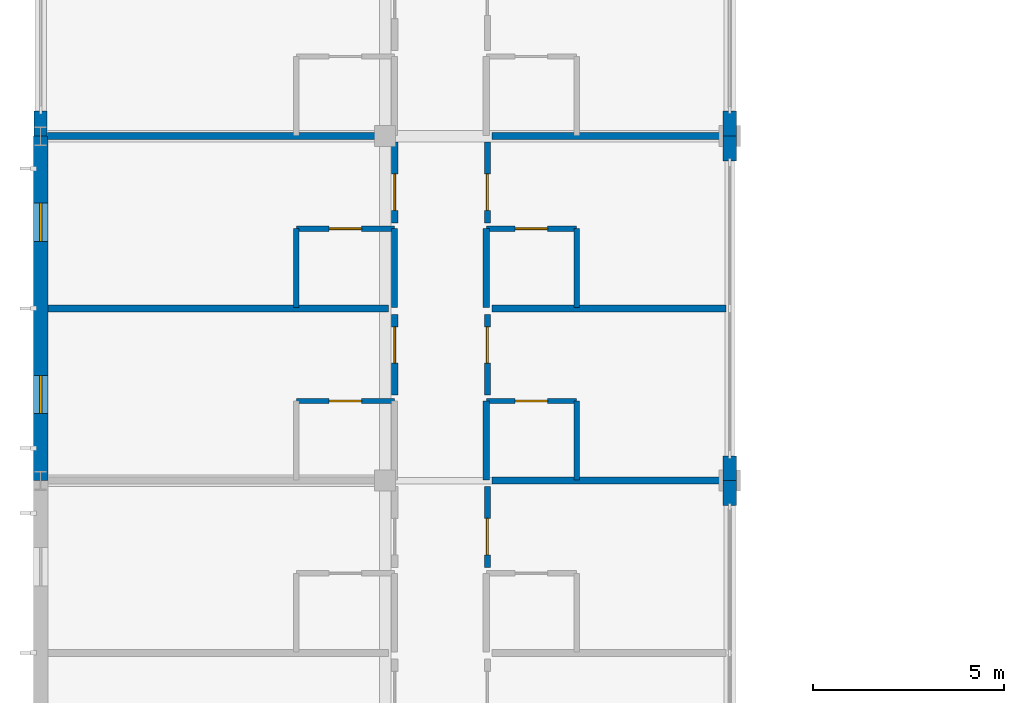
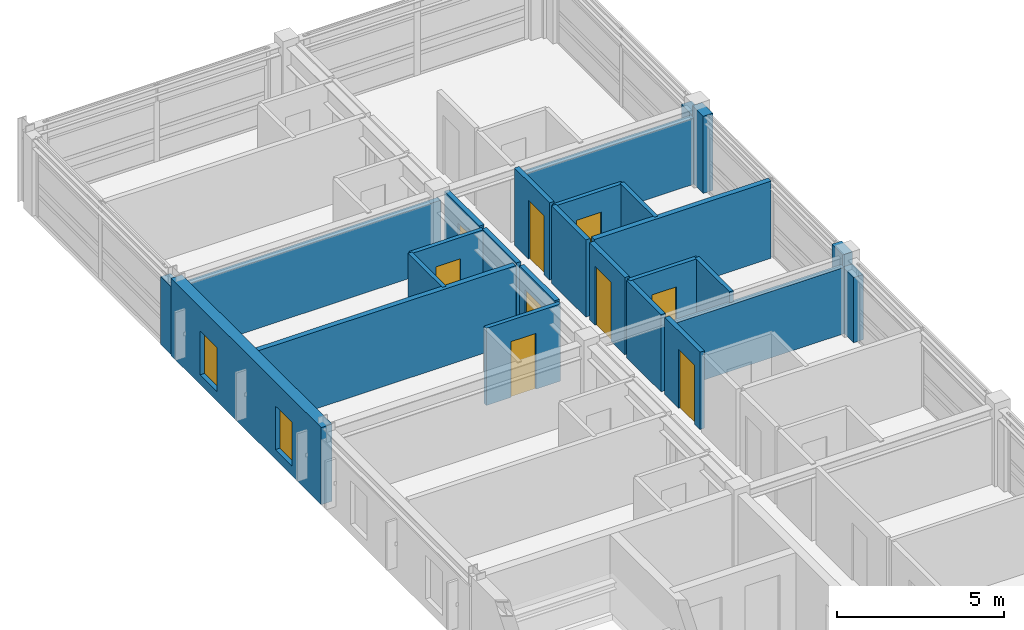
# One storey, part 23 of 37: 26 walls, 9 doors, 2 windows, 11 openings.
"""IFC4 building model written with IfcOpenShell, lengths in metres."""

from ifc_helpers import new_model, si_unit, direction, frame, frame_2d, origin, place, context, subcontext, project, spatial, rectangle, extrude, material, layer, layer_set, type_object, element, fill, save


model = new_model("IFC4")

# Units and contexts
model_context = context("Model", 3, precision=1e-05, world=origin(), true_north=direction((0.0, 1.0)))
body_context = subcontext(model_context, "Body", "Model", "MODEL_VIEW")
ifc_project = project(units=[si_unit("LENGTHUNIT", "METRE"), si_unit("AREAUNIT", "SQUARE_METRE"), si_unit("VOLUMEUNIT", "CUBIC_METRE"), si_unit("PLANEANGLEUNIT", "RADIAN"), si_unit("MASSUNIT", "GRAM", prefix="KILO")], contexts=[model_context])

# Site, building, storey
site_placement = place(None, origin())
site = spatial("IfcSite", under=ifc_project, at=site_placement, CompositionType="ELEMENT")
building_placement = place(site_placement, origin())
building = spatial("IfcBuilding", under=site, at=building_placement, Name="Palais des Congres Ocreval", CompositionType="ELEMENT")
storey_placement = place(building_placement, frame((0.0, 0.0, 11.52001953125)))
storey = spatial("IfcBuildingStorey", under=building, at=storey_placement, Name="L03", CompositionType="ELEMENT", Elevation=11.52001953125)

# Wall, opening, door
ifc_material_1 = material(Name="Moisture-resistant gypsum board")
ifc_layer_1 = layer(ifc_material_1, 0.139892578125)
ifc_layer_set_1 = layer_set([ifc_layer_1], Name="Bathroom Plumbing Chase Wall 140 Gypsum (Moisture-resistant gypsum board)")
wall_type_1 = type_object("IfcWallType", Name="Bathroom Plumbing Chase Wall 140 Gypsum", PredefinedType="PLUMBINGWALL", material=ifc_layer_set_1)
wall_1_placement = place(storey_placement, frame((6.679931640625, 56.080078125, 0.0), z_axis=(0.0, 0.0, 1.0), x_axis=(1.0, 0.0, 0.0)))
wall_1 = element("IfcWall", 1, at=wall_1_placement, inside=storey, type_object=wall_type_1, Name="Bathroom Plumbing Wall PW03 L03", PredefinedType="PLUMBINGWALL", context=body_context, shape_type="SweptSolid", body=[
    extrude(rectangle(XDim=2.56005859375, YDim=0.139892578125, at=frame_2d((1.280029296875, 0.0))), origin(), (0.0, 0.0, 1.0), 2.820068359375),
])
opening_1_placement = place(wall_1_placement, frame((0.85498046875, 0.0, 0.0)))
opening_1 = element("IfcOpeningElement", 2, at=opening_1_placement, cuts=wall_1, Name="Opening D08", PredefinedType="OPENING", context=body_context, shape_type="SweptSolid", body=[
    extrude(rectangle(XDim=0.85009765625, YDim=2.0400390625, at=frame_2d((0.425048828125, 1.02001953125))), frame((0.0, 0.079833984375, 0.0), z_axis=(0.0, -1.0, 0.0), x_axis=(1.0, 0.0, 0.0)), (0.0, 0.0, 1.0), 0.159912109375),
])
ifc_material_2 = material(Name="Solid French oak", Category="wood")
door_type_1 = type_object("IfcDoorType", Name="En-Suite Bathroom Door 850x2040", OperationType="NOTDEFINED", PredefinedType="DOOR", material=ifc_material_2)
door_1_placement = place(opening_1_placement, origin())
door_1 = element("IfcDoor", 3, at=door_1_placement, inside=storey, type_object=door_type_1, Name="En-Suite Bathroom Door D08 L03", OperationType="SINGLE_SWING_LEFT", OverallHeight=2.0400390625, OverallWidth=0.85009765625, PredefinedType="DOOR", context=body_context, shape_type="SweptSolid", body=[
    extrude(rectangle(XDim=0.85009765625, YDim=2.0400390625, at=frame_2d((0.425048828125, 1.02001953125))), frame((0.0, 0.02490234375, 0.0), z_axis=(0.0, -1.0, 0.0), x_axis=(1.0, 0.0, 0.0)), (0.0, 0.0, 1.0), 0.050048828125),
])
fill(opening_1, door_1)

wall_2_placement = place(storey_placement, frame((6.679931640625, 60.580078125, 0.0), z_axis=(0.0, 0.0, 1.0), x_axis=(1.0, 0.0, 0.0)))
wall_2 = element("IfcWall", 4, at=wall_2_placement, inside=storey, type_object=wall_type_1, Name="Bathroom Plumbing Wall PW03 L03", PredefinedType="PLUMBINGWALL", context=body_context, shape_type="SweptSolid", body=[
    extrude(rectangle(XDim=2.56005859375, YDim=0.139892578125, at=frame_2d((1.280029296875, 0.0))), origin(), (0.0, 0.0, 1.0), 2.820068359375),
])
opening_2_placement = place(wall_2_placement, frame((0.85498046875, 0.0, 0.0)))
opening_2 = element("IfcOpeningElement", 5, at=opening_2_placement, cuts=wall_2, Name="Opening D08", PredefinedType="OPENING", context=body_context, shape_type="SweptSolid", body=[
    extrude(rectangle(XDim=0.85009765625, YDim=2.0400390625, at=frame_2d((0.425048828125, 1.02001953125))), frame((0.0, 0.079833984375, 0.0), z_axis=(0.0, -1.0, 0.0), x_axis=(1.0, 0.0, 0.0)), (0.0, 0.0, 1.0), 0.159912109375),
])
door_2_placement = place(opening_2_placement, origin())
door_2 = element("IfcDoor", 6, at=door_2_placement, inside=storey, type_object=door_type_1, Name="En-Suite Bathroom Door D08 L03", OperationType="SINGLE_SWING_RIGHT", OverallHeight=2.0400390625, OverallWidth=0.85009765625, PredefinedType="DOOR", context=body_context, shape_type="SweptSolid", body=[
    extrude(rectangle(XDim=0.85009765625, YDim=2.0400390625, at=frame_2d((0.425048828125, 1.02001953125))), frame((0.0, 0.02490234375, 0.0), z_axis=(0.0, -1.0, 0.0), x_axis=(1.0, 0.0, 0.0)), (0.0, 0.0, 1.0), 0.050048828125),
])
fill(opening_2, door_2)

# Wall
wall_3_placement = place(storey_placement, frame((6.679931640625, 58.52001953125, 0.0), z_axis=(0.0, 0.0, 1.0), x_axis=(0.0, 1.0, 0.0)))
element("IfcWall", 7, at=wall_3_placement, inside=storey, type_object=wall_type_1, Name="Bathroom Plumbing Wall PW03 L03", PredefinedType="PLUMBINGWALL", context=body_context, shape_type="SweptSolid", body=[
    extrude(rectangle(XDim=2.06005859375, YDim=0.139892578125, at=frame_2d((1.030029296875, 0.0))), origin(), (0.0, 0.0, 1.0), 2.820068359375),
])

# Wall, opening, door
wall_4_placement = place(storey_placement, frame((11.639892578125, 56.080078125, 0.0), z_axis=(0.0, 0.0, 1.0), x_axis=(1.0, 0.0, 0.0)))
wall_4 = element("IfcWall", 8, at=wall_4_placement, inside=storey, type_object=wall_type_1, Name="Bathroom Plumbing Wall PW03 L03", PredefinedType="PLUMBINGWALL", context=body_context, shape_type="SweptSolid", body=[
    extrude(rectangle(XDim=2.360107421875, YDim=0.139892578125, at=frame_2d((1.18017578125, 0.0))), origin(), (0.0, 0.0, 1.0), 2.820068359375),
])
opening_3_placement = place(wall_4_placement, frame((0.7548828125, 0.0, 0.0)))
opening_3 = element("IfcOpeningElement", 9, at=opening_3_placement, cuts=wall_4, Name="Opening D08", PredefinedType="OPENING", context=body_context, shape_type="SweptSolid", body=[
    extrude(rectangle(XDim=0.85009765625, YDim=2.0400390625, at=frame_2d((0.425048828125, 1.02001953125))), frame((0.0, 0.079833984375, 0.0), z_axis=(0.0, -1.0, 0.0), x_axis=(1.0, 0.0, 0.0)), (0.0, 0.0, 1.0), 0.159912109375),
])
door_3_placement = place(opening_3_placement, origin())
door_3 = element("IfcDoor", 10, at=door_3_placement, inside=storey, type_object=door_type_1, Name="En-Suite Bathroom Door D08 L03", OperationType="SINGLE_SWING_LEFT", OverallHeight=2.0400390625, OverallWidth=0.85009765625, PredefinedType="DOOR", context=body_context, shape_type="SweptSolid", body=[
    extrude(rectangle(XDim=0.85009765625, YDim=2.0400390625, at=frame_2d((0.425048828125, 1.02001953125))), frame((0.0, 0.02490234375, 0.0), z_axis=(0.0, -1.0, 0.0), x_axis=(1.0, 0.0, 0.0)), (0.0, 0.0, 1.0), 0.050048828125),
])
fill(opening_3, door_3)

# Wall
wall_5_placement = place(storey_placement, frame((14.0, 54.02001953125, 0.0), z_axis=(0.0, 0.0, 1.0), x_axis=(0.0, 1.0, 0.0)))
element("IfcWall", 11, at=wall_5_placement, inside=storey, type_object=wall_type_1, Name="Bathroom Plumbing Wall PW03 L03", PredefinedType="PLUMBINGWALL", context=body_context, shape_type="SweptSolid", body=[
    extrude(rectangle(XDim=2.06005859375, YDim=0.139892578125, at=frame_2d((1.030029296875, 0.0))), origin(), (0.0, 0.0, 1.0), 2.820068359375),
])

# Wall, opening, door
wall_6_placement = place(storey_placement, frame((11.639892578125, 60.580078125, 0.0), z_axis=(0.0, 0.0, 1.0), x_axis=(1.0, 0.0, 0.0)))
wall_6 = element("IfcWall", 12, at=wall_6_placement, inside=storey, type_object=wall_type_1, Name="Bathroom Plumbing Wall PW03 L03", PredefinedType="PLUMBINGWALL", context=body_context, shape_type="SweptSolid", body=[
    extrude(rectangle(XDim=2.360107421875, YDim=0.139892578125, at=frame_2d((1.18017578125, 0.0))), origin(), (0.0, 0.0, 1.0), 2.820068359375),
])
opening_4_placement = place(wall_6_placement, frame((0.7548828125, 0.0, 0.0)))
opening_4 = element("IfcOpeningElement", 13, at=opening_4_placement, cuts=wall_6, Name="Opening D08", PredefinedType="OPENING", context=body_context, shape_type="SweptSolid", body=[
    extrude(rectangle(XDim=0.85009765625, YDim=2.0400390625, at=frame_2d((0.425048828125, 1.02001953125))), frame((0.0, 0.079833984375, 0.0), z_axis=(0.0, -1.0, 0.0), x_axis=(1.0, 0.0, 0.0)), (0.0, 0.0, 1.0), 0.159912109375),
])
door_4_placement = place(opening_4_placement, origin())
door_4 = element("IfcDoor", 14, at=door_4_placement, inside=storey, type_object=door_type_1, Name="En-Suite Bathroom Door D08 L03", OperationType="SINGLE_SWING_RIGHT", OverallHeight=2.0400390625, OverallWidth=0.85009765625, PredefinedType="DOOR", context=body_context, shape_type="SweptSolid", body=[
    extrude(rectangle(XDim=0.85009765625, YDim=2.0400390625, at=frame_2d((0.425048828125, 1.02001953125))), frame((0.0, 0.02490234375, 0.0), z_axis=(0.0, -1.0, 0.0), x_axis=(1.0, 0.0, 0.0)), (0.0, 0.0, 1.0), 0.050048828125),
])
fill(opening_4, door_4)

# Walls
wall_7_placement = place(storey_placement, frame((14.0, 58.52001953125, 0.0), z_axis=(0.0, 0.0, 1.0), x_axis=(0.0, 1.0, 0.0)))
element("IfcWall", 15, at=wall_7_placement, inside=storey, type_object=wall_type_1, Name="Bathroom Plumbing Wall PW03 L03", PredefinedType="PLUMBINGWALL", context=body_context, shape_type="SweptSolid", body=[
    extrude(rectangle(XDim=2.06005859375, YDim=0.139892578125, at=frame_2d((1.030029296875, 0.0))), origin(), (0.0, 0.0, 1.0), 2.820068359375),
])
ifc_material_3 = material(Name="Gypsum acoustic partition")
ifc_layer_2 = layer(ifc_material_3, 0.159912109375)
ifc_layer_set_2 = layer_set([ifc_layer_2], Name="Corridor Fire Partition 160 Gypsum (Gypsum acoustic partition)")
wall_type_2 = type_object("IfcWallType", Name="Corridor Fire Partition 160 Gypsum", PredefinedType="PARTITIONING", material=ifc_layer_set_2)
for number, where, z_axis, x_axis, name in (
    (16, (9.239990234375, 58.52001953125, 0.0), (0.0, 0.0, 1.0), (0.0, 1.0, 0.0), "Corridor Partition IW03 L03"),
    (17, (11.639892578125, 54.02001953125, 0.0), (0.0, 0.0, 1.0), (0.0, 1.0, 0.0), "Corridor Partition IW03 L03"),
    (18, (11.639892578125, 58.52001953125, 0.0), (0.0, 0.0, 1.0), (0.0, 1.0, 0.0), "Corridor Partition IW03 L03"),
):
    element("IfcWall", number, at=place(storey_placement, frame(where, z_axis=z_axis, x_axis=x_axis)), inside=storey, type_object=wall_type_2, Name=name, PredefinedType="PARTITIONING", context=body_context, shape_type="SweptSolid", body=[
        extrude(rectangle(XDim=2.06005859375, YDim=0.159912109375, at=frame_2d((1.030029296875, 0.0))), origin(), (0.0, 0.0, 1.0), 2.820068359375),
    ])

# Wall, opening, door
wall_8_placement = place(storey_placement, frame((11.669921875, 51.735107421875, 0.0), z_axis=(0.0, 0.0, 1.0), x_axis=(0.0, 1.0, 0.0)))
wall_8 = element("IfcWall", 19, at=wall_8_placement, inside=storey, type_object=wall_type_2, Name="Interior Partition IW03 L03", PredefinedType="PARTITIONING", context=body_context, shape_type="SweptSolid", body=[
    extrude(rectangle(XDim=2.10986328125, YDim=0.159912109375, at=frame_2d((1.054931640625, 0.0))), origin(), (0.0, 0.0, 1.0), 2.820068359375),
])
opening_5_placement = place(wall_8_placement, frame((0.326904296875, 0.0, 0.0)))
opening_5 = element("IfcOpeningElement", 20, at=opening_5_placement, cuts=wall_8, Name="Opening D05", PredefinedType="OPENING", context=body_context, shape_type="SweptSolid", body=[
    extrude(rectangle(XDim=0.949951171875, YDim=2.14990234375, at=frame_2d((0.47509765625, 1.074951171875))), frame((0.0, 0.08984375, 0.0), z_axis=(0.0, -1.0, 0.0), x_axis=(1.0, 0.0, 0.0)), (0.0, 0.0, 1.0), 0.179931640625),
])
door_type_2 = type_object("IfcDoorType", Name="Hotel Guestroom Entrance Door 950x2150", OperationType="NOTDEFINED", PredefinedType="DOOR", material=ifc_material_2)
door_5_placement = place(opening_5_placement, origin())
door_5 = element("IfcDoor", 21, at=door_5_placement, inside=storey, type_object=door_type_2, Name="Interior Door D05 L03", OperationType="SINGLE_SWING_RIGHT", OverallHeight=2.14990234375, OverallWidth=0.949951171875, PredefinedType="DOOR", context=body_context, shape_type="SweptSolid", body=[
    extrude(rectangle(XDim=0.949951171875, YDim=2.14990234375, at=frame_2d((0.47509765625, 1.074951171875))), frame((0.0, 0.02490234375, 0.0), z_axis=(0.0, -1.0, 0.0), x_axis=(1.0, 0.0, 0.0)), (0.0, 0.0, 1.0), 0.050048828125),
])
fill(opening_5, door_5)

wall_9_placement = place(storey_placement, frame((9.25, 56.235107421875, 0.0), z_axis=(0.0, 0.0, 1.0), x_axis=(0.0, 1.0, 0.0)))
wall_9 = element("IfcWall", 22, at=wall_9_placement, inside=storey, type_object=wall_type_2, Name="Interior Partition IW03 L03", PredefinedType="PARTITIONING", context=body_context, shape_type="SweptSolid", body=[
    extrude(rectangle(XDim=2.10986328125, YDim=0.159912109375, at=frame_2d((1.054931640625, 0.0))), origin(), (0.0, 0.0, 1.0), 2.820068359375),
])
opening_6_placement = place(wall_9_placement, frame((0.833251953125, 0.0, 0.0)))
opening_6 = element("IfcOpeningElement", 23, at=opening_6_placement, cuts=wall_9, Name="Opening D05", PredefinedType="OPENING", context=body_context, shape_type="SweptSolid", body=[
    extrude(rectangle(XDim=0.949951171875, YDim=2.14990234375, at=frame_2d((0.47509765625, 1.074951171875))), frame((0.0, 0.08984375, 0.0), z_axis=(0.0, -1.0, 0.0), x_axis=(1.0, 0.0, 0.0)), (0.0, 0.0, 1.0), 0.179931640625),
])
door_6_placement = place(opening_6_placement, origin())
door_6 = element("IfcDoor", 24, at=door_6_placement, inside=storey, type_object=door_type_2, Name="Interior Door D05 L03", OperationType="SINGLE_SWING_LEFT", OverallHeight=2.14990234375, OverallWidth=0.949951171875, PredefinedType="DOOR", context=body_context, shape_type="SweptSolid", body=[
    extrude(rectangle(XDim=0.949951171875, YDim=2.14990234375, at=frame_2d((0.47509765625, 1.074951171875))), frame((0.0, 0.02490234375, 0.0), z_axis=(0.0, -1.0, 0.0), x_axis=(1.0, 0.0, 0.0)), (0.0, 0.0, 1.0), 0.050048828125),
])
fill(opening_6, door_6)

wall_10_placement = place(storey_placement, frame((9.25, 60.735107421875, 0.0), z_axis=(0.0, 0.0, 1.0), x_axis=(0.0, 1.0, 0.0)))
wall_10 = element("IfcWall", 25, at=wall_10_placement, inside=storey, type_object=wall_type_2, Name="Interior Partition IW03 L03", PredefinedType="PARTITIONING", context=body_context, shape_type="SweptSolid", body=[
    extrude(rectangle(XDim=2.10986328125, YDim=0.159912109375, at=frame_2d((1.054931640625, 0.0))), origin(), (0.0, 0.0, 1.0), 2.820068359375),
])
opening_7_placement = place(wall_10_placement, frame((0.326904296875, 0.0, 0.0)))
opening_7 = element("IfcOpeningElement", 26, at=opening_7_placement, cuts=wall_10, Name="Opening D05", PredefinedType="OPENING", context=body_context, shape_type="SweptSolid", body=[
    extrude(rectangle(XDim=0.949951171875, YDim=2.14990234375, at=frame_2d((0.47509765625, 1.074951171875))), frame((0.0, 0.08984375, 0.0), z_axis=(0.0, -1.0, 0.0), x_axis=(1.0, 0.0, 0.0)), (0.0, 0.0, 1.0), 0.179931640625),
])
door_7_placement = place(opening_7_placement, origin())
door_7 = element("IfcDoor", 27, at=door_7_placement, inside=storey, type_object=door_type_2, Name="Interior Door D05 L03", OperationType="SINGLE_SWING_RIGHT", OverallHeight=2.14990234375, OverallWidth=0.949951171875, PredefinedType="DOOR", context=body_context, shape_type="SweptSolid", body=[
    extrude(rectangle(XDim=0.949951171875, YDim=2.14990234375, at=frame_2d((0.47509765625, 1.074951171875))), frame((0.0, 0.02490234375, 0.0), z_axis=(0.0, -1.0, 0.0), x_axis=(1.0, 0.0, 0.0)), (0.0, 0.0, 1.0), 0.050048828125),
])
fill(opening_7, door_7)

wall_11_placement = place(storey_placement, frame((11.669921875, 56.235107421875, 0.0), z_axis=(0.0, 0.0, 1.0), x_axis=(0.0, 1.0, 0.0)))
wall_11 = element("IfcWall", 28, at=wall_11_placement, inside=storey, type_object=wall_type_2, Name="Interior Partition IW03 L03", PredefinedType="PARTITIONING", context=body_context, shape_type="SweptSolid", body=[
    extrude(rectangle(XDim=2.10986328125, YDim=0.159912109375, at=frame_2d((1.054931640625, 0.0))), origin(), (0.0, 0.0, 1.0), 2.820068359375),
])
opening_8_placement = place(wall_11_placement, frame((0.833251953125, 0.0, 0.0)))
opening_8 = element("IfcOpeningElement", 29, at=opening_8_placement, cuts=wall_11, Name="Opening D05", PredefinedType="OPENING", context=body_context, shape_type="SweptSolid", body=[
    extrude(rectangle(XDim=0.949951171875, YDim=2.14990234375, at=frame_2d((0.47509765625, 1.074951171875))), frame((0.0, 0.08984375, 0.0), z_axis=(0.0, -1.0, 0.0), x_axis=(1.0, 0.0, 0.0)), (0.0, 0.0, 1.0), 0.179931640625),
])
door_8_placement = place(opening_8_placement, origin())
door_8 = element("IfcDoor", 30, at=door_8_placement, inside=storey, type_object=door_type_2, Name="Interior Door D05 L03", OperationType="SINGLE_SWING_LEFT", OverallHeight=2.14990234375, OverallWidth=0.949951171875, PredefinedType="DOOR", context=body_context, shape_type="SweptSolid", body=[
    extrude(rectangle(XDim=0.949951171875, YDim=2.14990234375, at=frame_2d((0.47509765625, 1.074951171875))), frame((0.0, 0.02490234375, 0.0), z_axis=(0.0, -1.0, 0.0), x_axis=(1.0, 0.0, 0.0)), (0.0, 0.0, 1.0), 0.050048828125),
])
fill(opening_8, door_8)

wall_12_placement = place(storey_placement, frame((11.669921875, 60.735107421875, 0.0), z_axis=(0.0, 0.0, 1.0), x_axis=(0.0, 1.0, 0.0)))
wall_12 = element("IfcWall", 31, at=wall_12_placement, inside=storey, type_object=wall_type_2, Name="Interior Partition IW03 L03", PredefinedType="PARTITIONING", context=body_context, shape_type="SweptSolid", body=[
    extrude(rectangle(XDim=2.10986328125, YDim=0.159912109375, at=frame_2d((1.054931640625, 0.0))), origin(), (0.0, 0.0, 1.0), 2.820068359375),
])
opening_9_placement = place(wall_12_placement, frame((0.326904296875, 0.0, 0.0)))
opening_9 = element("IfcOpeningElement", 32, at=opening_9_placement, cuts=wall_12, Name="Opening D05", PredefinedType="OPENING", context=body_context, shape_type="SweptSolid", body=[
    extrude(rectangle(XDim=0.949951171875, YDim=2.14990234375, at=frame_2d((0.47509765625, 1.074951171875))), frame((0.0, 0.08984375, 0.0), z_axis=(0.0, -1.0, 0.0), x_axis=(1.0, 0.0, 0.0)), (0.0, 0.0, 1.0), 0.179931640625),
])
door_9_placement = place(opening_9_placement, origin())
door_9 = element("IfcDoor", 33, at=door_9_placement, inside=storey, type_object=door_type_2, Name="Interior Door D05 L03", OperationType="SINGLE_SWING_RIGHT", OverallHeight=2.14990234375, OverallWidth=0.949951171875, PredefinedType="DOOR", context=body_context, shape_type="SweptSolid", body=[
    extrude(rectangle(XDim=0.949951171875, YDim=2.14990234375, at=frame_2d((0.47509765625, 1.074951171875))), frame((0.0, 0.02490234375, 0.0), z_axis=(0.0, -1.0, 0.0), x_axis=(1.0, 0.0, 0.0)), (0.0, 0.0, 1.0), 0.050048828125),
])
fill(opening_9, door_9)

# Walls
ifc_layer_3 = layer(ifc_material_3, 0.179931640625)
ifc_layer_set_3 = layer_set([ifc_layer_3], Name="Hotel Inter-Room Acoustic Partition 180 Gypsum (Gypsum acoustic partition)")
wall_type_3 = type_object("IfcWallType", Name="Hotel Inter-Room Acoustic Partition 180 Gypsum", PredefinedType="PARTITIONING", material=ifc_layer_set_3)
wall_13_placement = place(storey_placement, frame((11.794921875, 54.0, 0.0), z_axis=(0.0, 0.0, 1.0), x_axis=(1.0, 0.0, 0.0)))
element("IfcWall", 34, at=wall_13_placement, inside=storey, type_object=wall_type_3, Name="Hotel Party Partition IW02 L03", PredefinedType="PARTITIONING", context=body_context, shape_type="SweptSolid", body=[
    extrude(rectangle(XDim=6.030029296875, YDim=0.179931640625, at=frame_2d((3.01513671875, 0.0))), origin(), (0.0, 0.0, 1.0), 2.419921875),
])
wall_14_placement = place(storey_placement, frame((0.195068359375, 58.5, 0.0), z_axis=(0.0, 0.0, 1.0), x_axis=(1.0, 0.0, 0.0)))
element("IfcWall", 35, at=wall_14_placement, inside=storey, type_object=wall_type_3, Name="Hotel Party Partition IW02 L03", PredefinedType="PARTITIONING", context=body_context, shape_type="SweptSolid", body=[
    extrude(rectangle(XDim=8.889892578125, YDim=0.179931640625, at=frame_2d((4.44482421875, 0.0))), origin(), (0.0, 0.0, 1.0), 2.820068359375),
])
wall_15_placement = place(storey_placement, frame((0.175048828125, 63.0, 0.0), z_axis=(0.0, 0.0, 1.0), x_axis=(1.0, 0.0, 0.0)))
element("IfcWall", 36, at=wall_15_placement, inside=storey, type_object=wall_type_3, Name="Hotel Party Partition IW02 L03", PredefinedType="PARTITIONING", context=body_context, shape_type="SweptSolid", body=[
    extrude(rectangle(XDim=8.909912109375, YDim=0.179931640625, at=frame_2d((4.455078125, 0.0))), origin(), (0.0, 0.0, 1.0), 2.47998046875),
])
wall_16_placement = place(storey_placement, frame((11.794921875, 58.5, 0.0), z_axis=(0.0, 0.0, 1.0), x_axis=(1.0, 0.0, 0.0)))
element("IfcWall", 37, at=wall_16_placement, inside=storey, type_object=wall_type_3, Name="Hotel Party Partition IW02 L03", PredefinedType="PARTITIONING", context=body_context, shape_type="SweptSolid", body=[
    extrude(rectangle(XDim=6.110107421875, YDim=0.179931640625, at=frame_2d((3.05517578125, 0.0))), origin(), (0.0, 0.0, 1.0), 2.820068359375),
])
wall_17_placement = place(storey_placement, frame((11.794921875, 63.0, 0.0), z_axis=(0.0, 0.0, 1.0), x_axis=(1.0, 0.0, 0.0)))
element("IfcWall", 38, at=wall_17_placement, inside=storey, type_object=wall_type_3, Name="Hotel Party Partition IW02 L03", PredefinedType="PARTITIONING", context=body_context, shape_type="SweptSolid", body=[
    extrude(rectangle(XDim=6.030029296875, YDim=0.179931640625, at=frame_2d((3.01513671875, 0.0))), origin(), (0.0, 0.0, 1.0), 2.419921875),
])

# Wall, openings, windows
ifc_material_4 = material(Name="Concrete C40/50", Category="concrete")
ifc_layer_4 = layer(ifc_material_4, 0.3798828125)
ifc_layer_set_4 = layer_set([ifc_layer_4], Name="Lutetian Limestone Street Wall 380 Concrete C40/50")
wall_type_4 = type_object("IfcWallType", Name="Lutetian Limestone Street Wall 380 Concrete C40/50", PredefinedType="SOLIDWALL", material=ifc_layer_set_4)
wall_18_placement = place(storey_placement, frame((0.0, 54.0, 0.0), z_axis=(0.0, 0.0, 1.0), x_axis=(0.0, 1.0, 0.0)))
wall_18 = element("IfcWall", 39, at=wall_18_placement, inside=storey, type_object=wall_type_4, Name="Exterior Wall EW03 L03", PredefinedType="SOLIDWALL", context=body_context, shape_type="SweptSolid", body=[
    extrude(rectangle(XDim=9.0, YDim=0.3798828125, at=frame_2d((4.5, 0.0))), origin(), (0.0, 0.0, 1.0), 2.820068359375),
])
opening_10_placement = place(wall_18_placement, frame((1.75, 0.0, 0.35009765625)))
opening_10 = element("IfcOpeningElement", 40, at=opening_10_placement, cuts=wall_18, Name="Opening WN18", PredefinedType="OPENING", context=body_context, shape_type="SweptSolid", body=[
    extrude(rectangle(XDim=1.0, YDim=1.60009765625, at=frame_2d((0.5, 0.800048828125))), frame((0.0, 0.199951171875, 0.0), z_axis=(0.0, -1.0, 0.0), x_axis=(1.0, 0.0, 0.0)), (0.0, 0.0, 1.0), 0.39990234375),
])
opening_11_placement = place(wall_18_placement, frame((6.25, 0.0, 0.35009765625)))
opening_11 = element("IfcOpeningElement", 41, at=opening_11_placement, cuts=wall_18, Name="Opening WN18", PredefinedType="OPENING", context=body_context, shape_type="SweptSolid", body=[
    extrude(rectangle(XDim=1.0, YDim=1.60009765625, at=frame_2d((0.5, 0.800048828125))), frame((0.0, 0.199951171875, 0.0), z_axis=(0.0, -1.0, 0.0), x_axis=(1.0, 0.0, 0.0)), (0.0, 0.0, 1.0), 0.39990234375),
])
ifc_material_5 = material(Name="Anodized bronze aluminium and low-E glass", Category="glass")
window_type = type_object("IfcWindowType", Name="Stair and Lobby Daylight Window 1000x1600", PartitioningType="SINGLE_PANEL", PredefinedType="WINDOW", material=ifc_material_5)
window_1_placement = place(opening_10_placement, origin())
window_1 = element("IfcWindow", 42, at=window_1_placement, inside=storey, type_object=window_type, Name="Hotel Facade Window WN18", OverallHeight=1.60009765625, OverallWidth=1.0, PartitioningType="SINGLE_PANEL", PredefinedType="WINDOW", context=body_context, shape_type="SweptSolid", body=[
    extrude(rectangle(XDim=1.0, YDim=1.60009765625, at=frame_2d((0.5, 0.800048828125))), frame((0.0, 0.030029296875, 0.0), z_axis=(0.0, -1.0, 0.0), x_axis=(1.0, 0.0, 0.0)), (0.0, 0.0, 1.0), 0.06005859375),
])
fill(opening_10, window_1)
window_2_placement = place(opening_11_placement, origin())
window_2 = element("IfcWindow", 43, at=window_2_placement, inside=storey, type_object=window_type, Name="Hotel Facade Window WN18", OverallHeight=1.60009765625, OverallWidth=1.0, PartitioningType="SINGLE_PANEL", PredefinedType="WINDOW", context=body_context, shape_type="SweptSolid", body=[
    extrude(rectangle(XDim=1.0, YDim=1.60009765625, at=frame_2d((0.5, 0.800048828125))), frame((0.0, 0.030029296875, 0.0), z_axis=(0.0, -1.0, 0.0), x_axis=(1.0, 0.0, 0.0)), (0.0, 0.0, 1.0), 0.06005859375),
])
fill(opening_11, window_2)

# Walls
ifc_layer_5 = layer(ifc_material_4, 0.340087890625)
ifc_layer_set_5 = layer_set([ifc_layer_5], Name="Ochre Mineral-Lime Courtyard Wall 340 Concrete C40/50")
wall_type_5 = type_object("IfcWallType", Name="Ochre Mineral-Lime Courtyard Wall 340 Concrete C40/50", PredefinedType="SOLIDWALL", material=ifc_layer_set_5)
for number, where, z_axis, x_axis, name in (
    (44, (0.0, 63.0, 0.0), (0.0, 0.0, 1.0), (0.0, 1.0, 0.0), "Facade Pier EW04 L03"),
    (45, (18.0, 63.64990234375, 0.0), (0.0, 0.0, 1.0), (0.0, -1.0, 0.0), "Facade Pier EW04 L03"),
):
    element("IfcWall", number, at=place(storey_placement, frame(where, z_axis=z_axis, x_axis=x_axis)), inside=storey, type_object=wall_type_5, Name=name, PredefinedType="SOLIDWALL", context=body_context, shape_type="SweptSolid", body=[
        extrude(rectangle(XDim=0.64990234375, YDim=0.340087890625, at=frame_2d((0.324951171875, 0.0))), origin(), (0.0, 0.0, 1.0), 2.47998046875),
    ])
for number, where, z_axis, x_axis, name in (
    (46, (18.0, 63.0, 0.0), (0.0, 0.0, 1.0), (0.0, -1.0, 0.0), "Facade Pier EW04 L03"),
    (47, (18.0, 54.64990234375, 0.0), (0.0, 0.0, 1.0), (0.0, -1.0, 0.0), "Facade Pier EW04 L03"),
):
    element("IfcWall", number, at=place(storey_placement, frame(where, z_axis=z_axis, x_axis=x_axis)), inside=storey, type_object=wall_type_5, Name=name, PredefinedType="SOLIDWALL", context=body_context, shape_type="SweptSolid", body=[
        extrude(rectangle(XDim=0.64990234375, YDim=0.340087890625, at=frame_2d((0.324951171875, 0.0))), origin(), (0.0, 0.0, 1.0), 2.820068359375),
    ])
wall_19_placement = place(storey_placement, frame((18.0, 54.0, 0.0), z_axis=(0.0, 0.0, 1.0), x_axis=(0.0, -1.0, 0.0)))
element("IfcWall", 48, at=wall_19_placement, inside=storey, type_object=wall_type_5, Name="Facade Pier EW04 L03", PredefinedType="SOLIDWALL", context=body_context, shape_type="SweptSolid", body=[
    extrude(rectangle(XDim=0.64990234375, YDim=0.340087890625, at=frame_2d((0.324951171875, 0.0))), origin(), (0.0, 0.0, 1.0), 2.3798828125),
])

save(model, "model.ifc")
